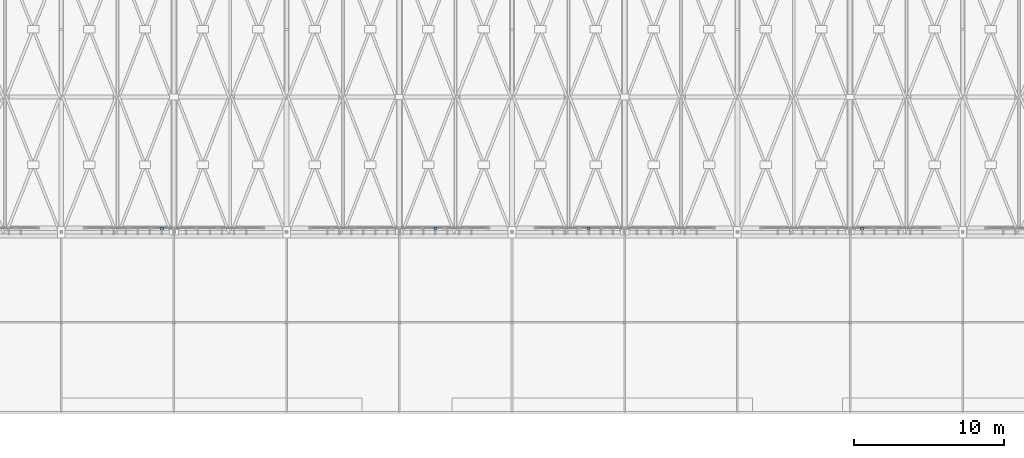
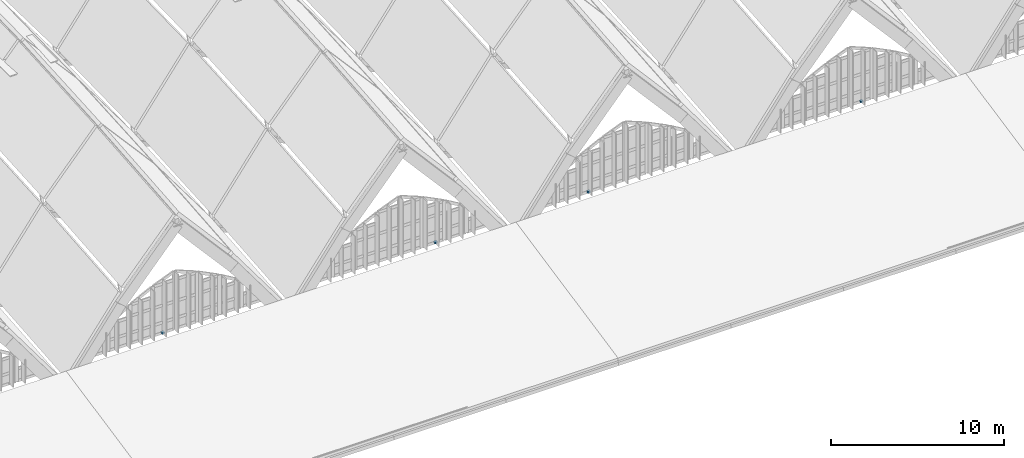
# One storey, part 80 of 93: 4 discrete accessories.
"""IFC4 building model written with IfcOpenShell, lengths in metres."""

from ifc_helpers import new_model, si_unit, direction, frame, origin, origin_2d, place, context, subcontext, project, spatial, rectangle, extrude, material, type_object, element, save


model = new_model("IFC4")

# Units and contexts
model_context = context("Model", 3, precision=1e-05, world=origin(), true_north=direction((0.0, 1.0)))
body_context = subcontext(model_context, "Body", "Model", "MODEL_VIEW")
ifc_project = project(units=[si_unit("LENGTHUNIT", "METRE"), si_unit("AREAUNIT", "SQUARE_METRE"), si_unit("VOLUMEUNIT", "CUBIC_METRE"), si_unit("PLANEANGLEUNIT", "RADIAN"), si_unit("MASSUNIT", "GRAM", prefix="KILO")], contexts=[model_context])

# Site, building, storey
site_placement = place(None, origin())
site = spatial("IfcSite", under=ifc_project, at=site_placement, CompositionType="ELEMENT")
building_placement = place(site_placement, origin())
building = spatial("IfcBuilding", under=site, at=building_placement, Name="Vourika Railside Aquatics Centre", CompositionType="ELEMENT")
storey_placement = place(building_placement, frame((0.0, 0.0, 21.89990234375)))
storey = spatial("IfcBuildingStorey", under=building, at=storey_placement, Name="Roof", CompositionType="ELEMENT", Elevation=21.89990234375)

# Discrete accessories
ifc_material = material(Name="Duplex stainless steel EN 1.4462", Category="steel")
discrete_accessory_type = type_object("IfcDiscreteAccessoryType", Name="ACC-BRK-180", PredefinedType="BRACKET", material=ifc_material)
for number, where, z_axis, x_axis, name in (
    (1, (72.699951171875, 12.25, -9.8798828125), (0.0, 0.0, 1.0), (0.0, -1.0, 0.0), "Stainless Fin Shoe Bracket BK-008"),
    (2, (90.89990234375, 12.25, -9.8798828125), (0.0, 0.0, 1.0), (0.0, -1.0, 0.0), "Stainless Fin Shoe Bracket BK-011"),
    (3, (101.10009765625, 12.25, -9.8798828125), (0.0, 0.0, 1.0), (0.0, -1.0, 0.0), "Stainless Fin Shoe Bracket BK-013"),
    (4, (119.300048828125, 12.25, -9.8798828125), (0.0, 0.0, 1.0), (0.0, -1.0, 0.0), "Stainless Fin Shoe Bracket BK-016"),
):
    element("IfcDiscreteAccessory", number, at=place(storey_placement, frame(where, z_axis=z_axis, x_axis=x_axis)), inside=storey, type_object=discrete_accessory_type, Name=name, PredefinedType="BRACKET", context=body_context, shape_type="SweptSolid", body=[
        extrude(rectangle(XDim=0.179931640625, YDim=0.179931640625, at=origin_2d()), origin(), (0.0, 0.0, 1.0), 0.1201171875),
    ])

save(model, "model.ifc")
